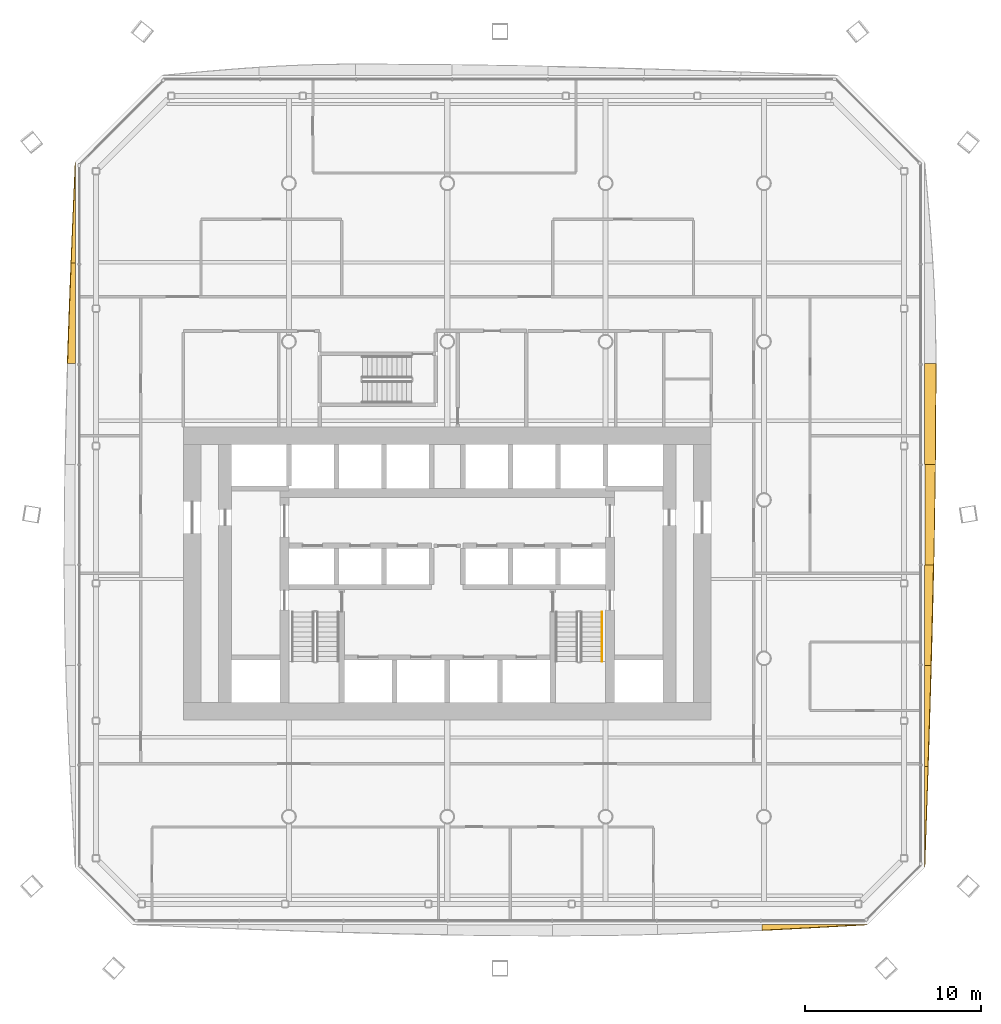
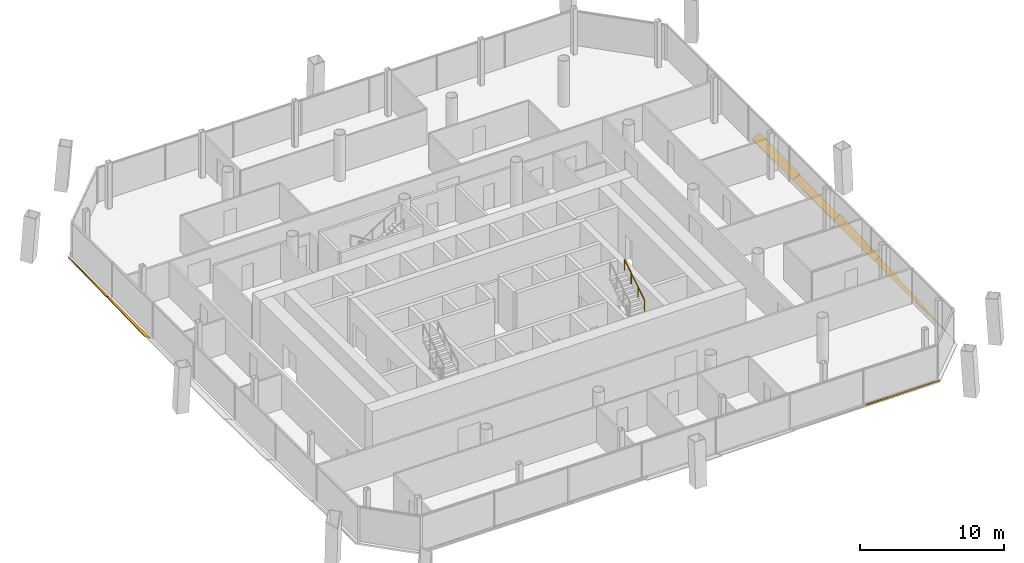
# One storey, part 17 of 19: 8 shading devices, 1 railing.
"""IFC4 building model written with IfcOpenShell, lengths in metres."""

from ifc_helpers import new_model, si_unit, direction, frame, origin, origin_2d, place, context, subcontext, project, spatial, polyline, circle, outline, extrude, material, layer, layer_set, type_object, element, save


model = new_model("IFC4")

# Units and contexts
model_context = context("Model", 3, precision=1e-05, world=origin(), true_north=direction((0.0, 1.0)))
body_context = subcontext(model_context, "Body", "Model", "MODEL_VIEW")
ifc_project = project(units=[si_unit("LENGTHUNIT", "METRE"), si_unit("AREAUNIT", "SQUARE_METRE"), si_unit("VOLUMEUNIT", "CUBIC_METRE"), si_unit("PLANEANGLEUNIT", "RADIAN"), si_unit("MASSUNIT", "GRAM", prefix="KILO")], contexts=[model_context])

# Site, building, storey
site_placement = place(None, origin())
site = spatial("IfcSite", under=ifc_project, at=site_placement, CompositionType="ELEMENT")
building_placement = place(site_placement, origin())
building = spatial("IfcBuilding", under=site, at=building_placement, Name="Tskaro Facet Tower", CompositionType="ELEMENT")
storey_placement = place(building_placement, frame((0.0, 0.0, 105.0)))
storey = spatial("IfcBuildingStorey", under=building, at=storey_placement, Name="L25", CompositionType="ELEMENT", Elevation=105.0)

# Shading devices
ifc_material_1 = material(Name="Bronze anodised aluminium 6063-T6", Category="aluminium")
ifc_layer = layer(ifc_material_1, 0.06005859375, Name="Bronze anodised aluminium 6063-T6")
ifc_layer_set = layer_set([ifc_layer], Name="Bronze anodised aluminium 6063-T6")
shading_device_type = type_object("IfcShadingDeviceType", Name="Bronze sun blade (FN1)", PredefinedType="USERDEFINED", material=ifc_layer_set)
shading_device_1_placement = place(storey_placement, frame((17.900634765625, -24.130615234375, 0.049072265625), z_axis=(-1.2824593e-05, 0.573788091401, 0.819003800969), x_axis=(0.999999999918, 7.358599e-06, 1.050339e-05)))
element("IfcShadingDevice", 1, at=shading_device_1_placement, inside=storey, type_object=shading_device_type, Name="Fin blade south 7", ObjectType="FIN", PredefinedType="USERDEFINED", context=body_context, shape_type="SweptSolid", body=[
    extrude(outline(polyline([(0.0, 0.0), (5.960449218259842, -5.0486968687174044e-21), (5.215332030301746, -0.05154199625110996), (4.470214844140184, -0.1028840404023575), (3.725341797068057, -0.15354601038735274), (2.980224610399713, -0.20366799118935944), (2.235107421428055, -0.25276986074198765), (1.490234373342366, -0.3009917040285012), (0.7451171877179821, -0.34759357976604893), (-9.774874995688513e-10, -0.39283530717109216), (0.0, 0.0)])), origin(), (0.0, 0.0, -1.0), 0.06005859375),
])
shading_device_2_placement = place(storey_placement, frame((27.135009765625, -20.861083984375, 0.052001953125), z_axis=(-0.499639938443, 3.30081e-06, 0.866233185638), x_axis=(1.649217e-06, 0.999999999995, -2.859271e-06)))
element("IfcShadingDevice", 2, at=shading_device_2_placement, inside=storey, type_object=shading_device_type, Name="Fin blade east 1", ObjectType="FIN", PredefinedType="USERDEFINED", context=body_context, shape_type="SweptSolid", body=[
    extrude(outline(polyline([(0.0, 0.0), (5.721191406218833, 0.0), (5.72119140628315, -0.22236185436168585), (5.006103515402068, -0.1953504816965776), (4.291015624816409, -0.16800564391328351), (3.5756835939011746, -0.14032734101180355), (2.860595703208298, -0.11243755539898492), (2.1455078125154214, -0.0845477697861663), (1.4304199221179688, -0.0563245190551618), (0.7153320310224516, -0.0282232507310045), (0.0, 0.0)])), origin(), (0.0, 0.0, -1.0), 0.06005859375),
])
shading_device_3_placement = place(storey_placement, frame((27.130615234375, -15.139892578125, 0.049072265625), z_axis=(-0.573801407863, 3.162393e-06, 0.818994471486), x_axis=(1.814586e-06, 0.999999999995, -2.589983e-06)))
element("IfcShadingDevice", 3, at=shading_device_3_placement, inside=storey, type_object=shading_device_type, Name="Fin blade east 2", ObjectType="FIN", PredefinedType="USERDEFINED", context=body_context, shape_type="SweptSolid", body=[
    extrude(outline(polyline([(0.0, 0.0), (5.721191406221392, 1.2115094046604782e-21), (5.721191406238638, -0.4480374934404774), (5.006103515521603, -0.4233165406109147), (4.29077148455818, -0.39791551166838546), (3.575683593333729, -0.3721145830815738), (2.860595703563223, -0.34569343996959456), (2.1455078124636744, -0.3186724473911917), (1.4304199215534323, -0.29131141675630556), (0.7150878908398168, -0.2634702598305939), (-1.3482784234374837e-10, -0.23522920326059993), (0.0, 0.0)])), origin(), (0.0, 0.0, -1.0), 0.06005859375),
])
shading_device_4_placement = place(storey_placement, frame((27.12646484375, -9.418701171875, 0.0458984375), z_axis=(-0.642856513063, 1.3736684e-05, 0.765986620917), x_axis=(8.830717e-06, 0.999999999906, -1.0522116e-05)))
element("IfcShadingDevice", 4, at=shading_device_4_placement, inside=storey, type_object=shading_device_type, Name="Fin blade east 3", ObjectType="FIN", PredefinedType="USERDEFINED", context=body_context, shape_type="SweptSolid", body=[
    extrude(outline(polyline([(0.0, 0.0), (5.721191405710216, 0.0), (5.721191406452813, -0.6616319021081654), (5.006103515808758, -0.6418761137332234), (4.290771483209666, -0.621245405219313), (3.575683594630306, -0.5997698376279247), (2.860595702564952, -0.5772323414451779), (2.145507811325476, -0.5540069335758524), (1.4301757806998412, -0.5297496581766593), (0.7150878915250617, -0.5048044710908876), (-1.5486516980359218e-09, -0.4791413112570466), (0.0, 0.0)])), origin(), (0.0, 0.0, -1.0), 0.06005859375),
])
shading_device_5_placement = place(storey_placement, frame((27.14453125, -3.697509765625, 0.056396484375), z_axis=(-0.342017843592, 3.259173e-06, 0.939693457812), x_axis=(1.114695e-06, 0.999999999995, -3.062624e-06)))
element("IfcShadingDevice", 5, at=shading_device_5_placement, inside=storey, type_object=shading_device_type, Name="Fin blade east 4", ObjectType="FIN", PredefinedType="USERDEFINED", context=body_context, shape_type="SweptSolid", body=[
    extrude(outline(polyline([(0.0, 0.0), (5.7211914062196145, 1.2115094046604782e-21), (5.721191406079184, -0.6373266568245975), (5.00585937502824, -0.6282115437898557), (4.290771484261435, -0.6180952609126185), (3.575683593425914, -0.6072072255409859), (2.860595703269387, -0.5954639372248617), (2.1452636721470033, -0.5827194790662423), (1.4301757813087588, -0.5689738510651277), (0.7150878906739404, -0.5546858879177173), (-3.0173675788989646e-10, -0.5393967549278117), (0.0, 0.0)])), origin(), (0.0, 0.0, -1.0), 0.06005859375),
])
shading_device_6_placement = place(storey_placement, frame((27.1396484375, 2.023681640625, 0.054443359375), z_axis=(-0.422515110022, 7.29283e-07, 0.906355880327), x_axis=(3.08133e-07, 1.0, -6.6099e-07)))
element("IfcShadingDevice", 6, at=shading_device_6_placement, inside=storey, type_object=shading_device_type, Name="Fin blade east 5", ObjectType="FIN", PredefinedType="USERDEFINED", context=body_context, shape_type="SweptSolid", body=[
    extrude(outline(polyline([(0.0, 0.0), (5.7209472656234786, -3.028644264680484e-22), (5.720947265554653, -0.7001238394326665), (5.0058593750378275, -0.6987079886680913), (4.290771484381466, -0.6963038716361015), (3.5756835938221694, -0.6930296135247601), (2.860351562423108, -0.6885458108549088), (2.145263671907488, -0.6830887140026731), (1.4301757812523295, -0.676643350883023), (0.7150878906190097, -0.6691065683929258), (-7.861911716858981e-11, -0.6608027979265094), (0.0, 0.0)])), origin(), (0.0, 0.0, -1.0), 0.06005859375),
])
shading_device_7_placement = place(storey_placement, frame((-21.135009765625, 19.18701171875, 0.052001953125), z_axis=(0.499679014454, 2.235981e-05, 0.86621064529), x_axis=(1.1172728e-05, -0.99999999975, 1.9368306e-05)))
element("IfcShadingDevice", 7, at=shading_device_7_placement, inside=storey, type_object=shading_device_type, Name="Fin blade west 1", ObjectType="FIN", PredefinedType="USERDEFINED", context=body_context, shape_type="SweptSolid", body=[
    extrude(outline(polyline([(0.0, 0.0), (5.721191404819814, -9.692075237283825e-21), (5.721191407680134, -0.2802317226567713), (5.006103515559461, -0.24664849052267374), (4.290771483540694, -0.21252031202490604), (3.575683592873709, -0.17784718716346826), (2.8605957002058506, -0.1428405931467361), (2.145507812993425, -0.10741104471325252), (1.4301757804274706, -0.07185950433285028), (0.7150878892132987, -0.03576301758877796), (0.0, 0.0)])), origin(), (0.0, 0.0, -1.0), 0.06005859375),
])
shading_device_8_placement = place(storey_placement, frame((-21.130615234375, 13.4658203125, 0.049072265625), z_axis=(0.573728333073, 8.045562e-06, 0.819045664029), x_axis=(4.615967e-06, -0.999999999968, 6.589682e-06)))
element("IfcShadingDevice", 8, at=shading_device_8_placement, inside=storey, type_object=shading_device_type, Name="Fin blade west 2", ObjectType="FIN", PredefinedType="USERDEFINED", context=body_context, shape_type="SweptSolid", body=[
    extrude(outline(polyline([(0.0, 0.0), (5.721191406064831, 2.4230188093209563e-21), (5.721191406404296, -0.5476013792867773), (5.00585937428379, -0.5201002702184057), (4.290771483596575, -0.4911791383669405), (3.5756835941995195, -0.46117801644652884), (2.860595703356873, -0.43015679638367543), (2.145507812195579, -0.3979155158580544), (1.430175782181318, -0.3649342779776342), (0.715087890219512, -0.3311329042750982), (-4.5213249940515844e-10, -0.29625154050361585), (0.0, 0.0)])), origin(), (0.0, 0.0, -1.0), 0.06005859375),
])

# Railing
ifc_material_2 = material(Name="Stainless steel", Category="steel")
railing_type = type_object("IfcRailingType", Name="RL-HANDRAIL-900", PredefinedType="HANDRAIL", material=ifc_material_2)
railing_placement = place(storey_placement, frame((8.800048828125, -9.175048828125, 2.127197265625)))
element("IfcRailing", 9, at=railing_placement, inside=storey, type_object=railing_type, Name="L25 ST-2 stair handrail 2", PredefinedType="HANDRAIL", context=body_context, shape_type="SweptSolid", body=[
    extrude(circle(Radius=0.02392578125, at=origin_2d()), frame((0.0, 0.0, 0.8759765625), z_axis=(0.0, 0.844908973607, 0.534910110503), x_axis=(-1.0, 0.0, 0.0)), (0.0, 0.0, 1.0), 3.31396484375),
    extrude(circle(Radius=0.02099609375, at=origin_2d()), origin(), (0.0, 0.0, 1.0), 0.851806640625),
    extrude(circle(Radius=0.02099609375, at=origin_2d()), frame((0.0, 0.933349609375, 0.5908203125)), (0.0, 0.0, 1.0), 0.851806640625),
    extrude(circle(Radius=0.02099609375, at=origin_2d()), frame((0.0, 1.86669921875, 1.181884765625)), (0.0, 0.0, 1.0), 0.851806640625),
    extrude(circle(Radius=0.02099609375, at=origin_2d()), frame((0.0, 2.800048828125, 1.772705078125)), (0.0, 0.0, 1.0), 0.851806640625),
])

save(model, "model.ifc")
